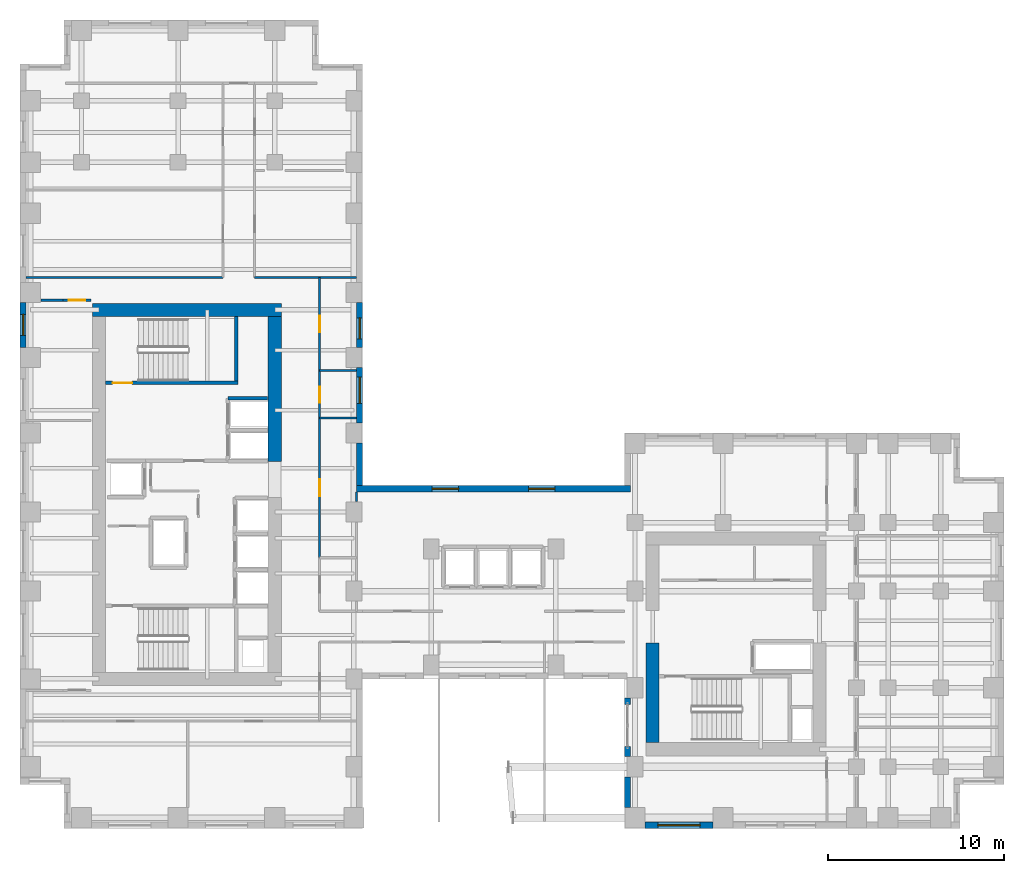
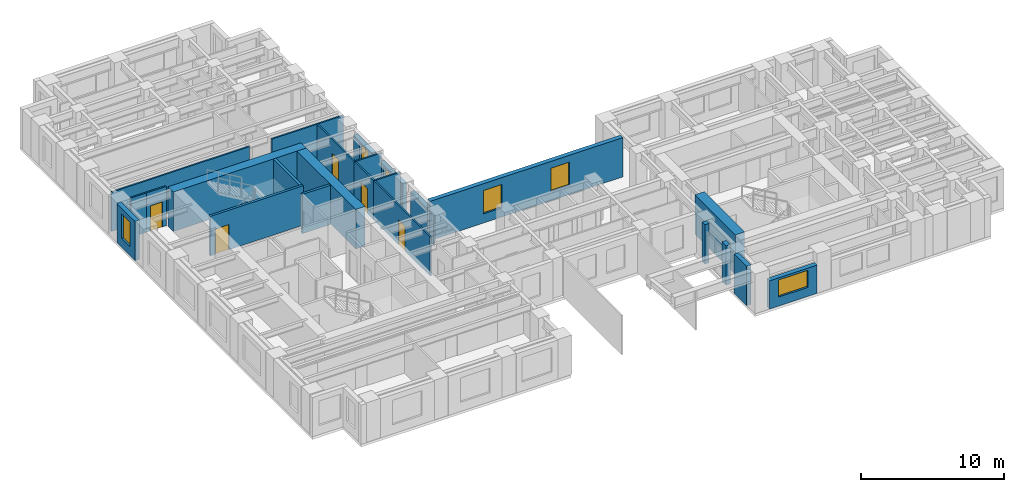
# One storey, part 9 of 14: 25 walls, 6 windows, 5 doors, 11 openings.
"""IFC4 building model written with IfcOpenShell, lengths in metres."""

from ifc_helpers import new_model, si_unit, direction, frame, frame_2d, origin, place, context, subcontext, project, spatial, rectangle, extrude, source, transform, mapped, material, layer, layer_set, type_object, element, fill, save


model = new_model("IFC4")

# Units and contexts
model_context = context("Model", 3, precision=1e-05, world=origin(), true_north=direction((0.0, 1.0)))
body_context = subcontext(model_context, "Body", "Model", "MODEL_VIEW")
ifc_project = project(units=[si_unit("LENGTHUNIT", "METRE"), si_unit("AREAUNIT", "SQUARE_METRE"), si_unit("VOLUMEUNIT", "CUBIC_METRE"), si_unit("PLANEANGLEUNIT", "RADIAN"), si_unit("MASSUNIT", "GRAM", prefix="KILO")], contexts=[model_context])

# Site, building, storey
site_placement = place(None, origin())
site = spatial("IfcSite", under=ifc_project, at=site_placement, CompositionType="ELEMENT")
building_placement = place(site_placement, origin())
building = spatial("IfcBuilding", under=site, at=building_placement, Name="Kharzan Plaza Tower", CompositionType="ELEMENT")
storey_placement = place(building_placement, frame((0.0, 0.0, 88.199951171875)))
storey = spatial("IfcBuildingStorey", under=building, at=storey_placement, Name="L23", CompositionType="ELEMENT", Elevation=88.199951171875)

# Wall, opening, window
ifc_material_1 = material(Name="Concrete C40/50", Category="concrete")
ifc_layer_1 = layer(ifc_material_1, 0.35009765625)
ifc_layer_set_1 = layer_set([ifc_layer_1], Name="Concrete C40/50")
wall_type_1 = type_object("IfcWallType", Name="WL-EXT-MAS-Z2", PredefinedType="SOLIDWALL", material=ifc_layer_set_1)
wall_1_placement = place(storey_placement, frame((19.324951171875, 23.072998046875, 0.0), z_axis=(0.0, 0.0, 1.0), x_axis=(0.0, 1.0, 0.0)))
wall_1 = element("IfcWall", 1, at=wall_1_placement, inside=storey, type_object=wall_type_1, Name="L23 Masonry-Frame Exterior Wall 02", PredefinedType="SOLIDWALL", context=body_context, shape_type="SweptSolid", body=[
    extrude(rectangle(XDim=3.154052734375, YDim=0.35009765625, at=frame_2d((1.5771484375, 0.0))), origin(), (0.0, 0.0, 1.0), 2.51904296875),
])
opening_1_placement = place(wall_1_placement, frame((1.10546875, 0.0, 0.780029296875)))
opening_1 = element("IfcOpeningElement", 2, at=opening_1_placement, cuts=wall_1, Name="Opening W5", PredefinedType="OPENING", context=body_context, shape_type="SweptSolid", body=[
    extrude(rectangle(XDim=1.5, YDim=1.55908203125, at=frame_2d((0.75, 0.779541015625))), frame((0.0, 0.18505859375, 0.0), z_axis=(0.0, -1.0, 0.0), x_axis=(1.0, 0.0, 0.0)), (0.0, 0.0, 1.0), 0.3701171875),
])
ifc_material_2 = material(Name="Low-E Double Glazing", Category="glass")
window_type_1 = type_object("IfcWindowType", Name="WN-SLT-1500x2000", PartitioningType="SINGLE_PANEL", PredefinedType="WINDOW", material=ifc_material_2)
shared_shape_1 = source(origin(), body_context, "Body", "SweptSolid", [
    extrude(rectangle(XDim=1.5, YDim=1.55908203125, at=frame_2d((0.75, 0.779541015625))), frame((0.0, 0.030029296875, 0.0), z_axis=(0.0, -1.0, 0.0), x_axis=(1.0, 0.0, 0.0)), (0.0, 0.0, 1.0), 0.06005859375),
])
window_1_placement = place(opening_1_placement, origin())
window_1 = element("IfcWindow", 3, at=window_1_placement, inside=storey, type_object=window_type_1, Name="L23 Recessed Solar-Control Window 02-1", OverallHeight=1.55908203125, OverallWidth=1.5, PartitioningType="SINGLE_PANEL", PredefinedType="WINDOW", context=body_context, shape_type="MappedRepresentation", body=[
    mapped(shared_shape_1, transform((0.0, 0.0, 0.0), x_axis=(1.0, 0.0, 0.0), y_axis=(0.0, 1.0, 0.0), z_axis=(0.0, 0.0, 1.0))),
])
fill(opening_1, window_1)

wall_2_placement = place(storey_placement, frame((19.324951171875, 27.373046875, 0.0), z_axis=(0.0, 0.0, 1.0), x_axis=(0.0, 1.0, 0.0)))
wall_2 = element("IfcWall", 4, at=wall_2_placement, inside=storey, type_object=wall_type_1, Name="L23 Masonry-Frame Exterior Wall 03", PredefinedType="SOLIDWALL", context=body_context, shape_type="SweptSolid", body=[
    extrude(rectangle(XDim=2.553955078125, YDim=0.35009765625, at=frame_2d((1.27685546875, 0.0))), origin(), (0.0, 0.0, 1.0), 2.51904296875),
])
opening_2_placement = place(wall_2_placement, frame((0.47998046875, 0.0, 0.780029296875)))
opening_2 = element("IfcOpeningElement", 5, at=opening_2_placement, cuts=wall_2, Name="Opening W3", PredefinedType="OPENING", context=body_context, shape_type="SweptSolid", body=[
    extrude(rectangle(XDim=1.199951171875, YDim=1.55908203125, at=frame_2d((0.60009765625, 0.779541015625))), frame((0.0, 0.18505859375, 0.0), z_axis=(0.0, -1.0, 0.0), x_axis=(1.0, 0.0, 0.0)), (0.0, 0.0, 1.0), 0.3701171875),
])
window_type_2 = type_object("IfcWindowType", Name="WN-REC-1200x2100", PartitioningType="SINGLE_PANEL", PredefinedType="WINDOW", material=ifc_material_2)
shared_shape_2 = source(origin(), body_context, "Body", "SweptSolid", [
    extrude(rectangle(XDim=1.199951171875, YDim=1.55908203125, at=frame_2d((0.60009765625, 0.779541015625))), frame((0.0, 0.030029296875, 0.0), z_axis=(0.0, -1.0, 0.0), x_axis=(1.0, 0.0, 0.0)), (0.0, 0.0, 1.0), 0.06005859375),
])
window_2_placement = place(opening_2_placement, origin())
window_2 = element("IfcWindow", 6, at=window_2_placement, inside=storey, type_object=window_type_2, Name="L23 Recessed Solar-Control Window 03-1", OverallHeight=1.55908203125, OverallWidth=1.199951171875, PartitioningType="SINGLE_PANEL", PredefinedType="WINDOW", context=body_context, shape_type="MappedRepresentation", body=[
    mapped(shared_shape_2, transform((0.0, 0.0, 0.0), x_axis=(1.0, 0.0, 0.0), y_axis=(0.0, 1.0, 0.0), z_axis=(0.0, 0.0, 1.0))),
])
fill(opening_2, window_2)

wall_3_placement = place(storey_placement, frame((0.175048828125, 29.927001953125, 0.0), z_axis=(0.0, 0.0, 1.0), x_axis=(0.0, -1.0, 0.0)))
wall_3 = element("IfcWall", 7, at=wall_3_placement, inside=storey, type_object=wall_type_1, Name="L23 Masonry-Frame Exterior Wall 20", PredefinedType="SOLIDWALL", context=body_context, shape_type="SweptSolid", body=[
    extrude(rectangle(XDim=2.553955078125, YDim=0.35009765625, at=frame_2d((1.27685546875, 0.0))), origin(), (0.0, 0.0, 1.0), 3.364990234375),
])
opening_3_placement = place(wall_3_placement, frame((0.677001953125, 0.0, 0.780029296875)))
opening_3 = element("IfcOpeningElement", 8, at=opening_3_placement, cuts=wall_3, Name="Opening W3", PredefinedType="OPENING", context=body_context, shape_type="SweptSolid", body=[
    extrude(rectangle(XDim=1.199951171875, YDim=2.10009765625, at=frame_2d((0.60009765625, 1.050048828125))), frame((0.0, 0.18505859375, 0.0), z_axis=(0.0, -1.0, 0.0), x_axis=(1.0, 0.0, 0.0)), (0.0, 0.0, 1.0), 0.3701171875),
])
shared_shape_3 = source(origin(), body_context, "Body", "SweptSolid", [
    extrude(rectangle(XDim=1.199951171875, YDim=2.10009765625, at=frame_2d((0.60009765625, 1.050048828125))), frame((0.0, 0.030029296875, 0.0), z_axis=(0.0, -1.0, 0.0), x_axis=(1.0, 0.0, 0.0)), (0.0, 0.0, 1.0), 0.06005859375),
])
window_3_placement = place(opening_3_placement, origin())
window_3 = element("IfcWindow", 9, at=window_3_placement, inside=storey, type_object=window_type_2, Name="L23 Recessed Solar-Control Window 20-1", OverallHeight=2.10009765625, OverallWidth=1.199951171875, PartitioningType="SINGLE_PANEL", PredefinedType="WINDOW", context=body_context, shape_type="MappedRepresentation", body=[
    mapped(shared_shape_3, transform((0.0, 0.0, 0.0), x_axis=(1.0, 0.0, 0.0), y_axis=(0.0, 1.0, 0.0), z_axis=(0.0, 0.0, 1.0))),
])
fill(opening_3, window_3)

wall_4_placement = place(storey_placement, frame((35.572998046875, 0.175048828125, 0.0), z_axis=(0.0, 0.0, 1.0), x_axis=(1.0, 0.0, 0.0)))
wall_4 = element("IfcWall", 10, at=wall_4_placement, inside=storey, type_object=wall_type_1, Name="L23 Masonry-Frame Exterior Wall 40", PredefinedType="SOLIDWALL", context=body_context, shape_type="SweptSolid", body=[
    extrude(rectangle(XDim=3.85400390625, YDim=0.35009765625, at=frame_2d((1.927001953125, 0.0))), origin(), (0.0, 0.0, 1.0), 2.427978515625),
])
opening_4_placement = place(wall_4_placement, frame((0.72705078125, 0.0, 0.780029296875)))
opening_4 = element("IfcOpeningElement", 11, at=opening_4_placement, cuts=wall_4, Name="Opening W2", PredefinedType="OPENING", context=body_context, shape_type="SweptSolid", body=[
    extrude(rectangle(XDim=2.39990234375, YDim=1.468017578125, at=frame_2d((1.199951171875, 0.73388671875))), frame((0.0, 0.18505859375, 0.0), z_axis=(0.0, -1.0, 0.0), x_axis=(1.0, 0.0, 0.0)), (0.0, 0.0, 1.0), 0.3701171875),
])
window_type_3 = type_object("IfcWindowType", Name="WN-REC-2400x2100", PartitioningType="SINGLE_PANEL", PredefinedType="WINDOW", material=ifc_material_2)
shared_shape_4 = source(origin(), body_context, "Body", "SweptSolid", [
    extrude(rectangle(XDim=2.39990234375, YDim=1.468017578125, at=frame_2d((1.199951171875, 0.73388671875))), frame((0.0, 0.030029296875, 0.0), z_axis=(0.0, -1.0, 0.0), x_axis=(1.0, 0.0, 0.0)), (0.0, 0.0, 1.0), 0.06005859375),
])
window_4_placement = place(opening_4_placement, origin())
window_4 = element("IfcWindow", 12, at=window_4_placement, inside=storey, type_object=window_type_3, Name="L23 Wide Recessed Solar-Control Window 40-1", OverallHeight=1.468017578125, OverallWidth=2.39990234375, PartitioningType="SINGLE_PANEL", PredefinedType="WINDOW", context=body_context, shape_type="MappedRepresentation", body=[
    mapped(shared_shape_4, transform((0.0, 0.0, 0.0), x_axis=(1.0, 0.0, 0.0), y_axis=(0.0, 1.0, 0.0), z_axis=(0.0, 0.0, 1.0))),
])
fill(opening_4, window_4)

# Wall, openings, windows
wall_5_placement = place(storey_placement, frame((34.75, 19.324951171875, 0.0), z_axis=(0.0, 0.0, 1.0), x_axis=(-1.0, 0.0, 0.0)))
wall_5 = element("IfcWall", 13, at=wall_5_placement, inside=storey, type_object=wall_type_1, Name="L23 Masonry-Frame Exterior Wall 59", PredefinedType="SOLIDWALL", context=body_context, shape_type="SweptSolid", body=[
    extrude(rectangle(XDim=15.60009765625, YDim=0.35009765625, at=frame_2d((7.800048828125, 0.0))), origin(), (0.0, 0.0, 1.0), 3.364990234375),
])
opening_5_placement = place(wall_5_placement, frame((4.306640625, 0.0, 0.780029296875)))
opening_5 = element("IfcOpeningElement", 14, at=opening_5_placement, cuts=wall_5, Name="Opening W5", PredefinedType="OPENING", context=body_context, shape_type="SweptSolid", body=[
    extrude(rectangle(XDim=1.5, YDim=2.0, at=frame_2d((0.75, 1.0))), frame((0.0, 0.18505859375, 0.0), z_axis=(0.0, -1.0, 0.0), x_axis=(1.0, 0.0, 0.0)), (0.0, 0.0, 1.0), 0.3701171875),
])
opening_6_placement = place(wall_5_placement, frame((9.793212890625, 0.0, 0.780029296875)))
opening_6 = element("IfcOpeningElement", 15, at=opening_6_placement, cuts=wall_5, Name="Opening W5", PredefinedType="OPENING", context=body_context, shape_type="SweptSolid", body=[
    extrude(rectangle(XDim=1.5, YDim=2.0, at=frame_2d((0.75, 1.0))), frame((0.0, 0.18505859375, 0.0), z_axis=(0.0, -1.0, 0.0), x_axis=(1.0, 0.0, 0.0)), (0.0, 0.0, 1.0), 0.3701171875),
])
shared_shape_5 = source(origin(), body_context, "Body", "SweptSolid", [
    extrude(rectangle(XDim=1.5, YDim=2.0, at=frame_2d((0.75, 1.0))), frame((0.0, 0.030029296875, 0.0), z_axis=(0.0, -1.0, 0.0), x_axis=(1.0, 0.0, 0.0)), (0.0, 0.0, 1.0), 0.06005859375),
])
window_5_placement = place(opening_5_placement, origin())
window_5 = element("IfcWindow", 16, at=window_5_placement, inside=storey, type_object=window_type_1, Name="L23 Recessed Solar-Control Window 59-1", OverallHeight=2.0, OverallWidth=1.5, PartitioningType="SINGLE_PANEL", PredefinedType="WINDOW", context=body_context, shape_type="MappedRepresentation", body=[
    mapped(shared_shape_5, transform((0.0, 0.0, 0.0), x_axis=(1.0, 0.0, 0.0), y_axis=(0.0, 1.0, 0.0), z_axis=(0.0, 0.0, 1.0))),
])
fill(opening_5, window_5)
window_6_placement = place(opening_6_placement, origin())
window_6 = element("IfcWindow", 17, at=window_6_placement, inside=storey, type_object=window_type_1, Name="L23 Recessed Solar-Control Window 59-2", OverallHeight=2.0, OverallWidth=1.5, PartitioningType="SINGLE_PANEL", PredefinedType="WINDOW", context=body_context, shape_type="MappedRepresentation", body=[
    mapped(shared_shape_5, transform((0.0, 0.0, 0.0), x_axis=(1.0, 0.0, 0.0), y_axis=(0.0, 1.0, 0.0), z_axis=(0.0, 0.0, 1.0))),
])
fill(opening_6, window_6)

# Wall, opening, door
ifc_material_3 = material(Name="Fire-Rated Gypsum Board Partition", Category="gypsum")
ifc_layer_2 = layer(ifc_material_3, 0.125)
ifc_layer_set_2 = layer_set([ifc_layer_2], Name="Fire-Rated Gypsum Board Partition")
wall_type_2 = type_object("IfcWallType", Name="WL-INT-PART-125", PredefinedType="PARTITIONING", material=ifc_layer_set_2)
wall_6_placement = place(storey_placement, frame((17.050048828125, 15.39990234375, 0.0), z_axis=(0.0, 0.0, 1.0), x_axis=(0.0, 1.0, 0.0)))
wall_6 = element("IfcWall", 18, at=wall_6_placement, inside=storey, type_object=wall_type_2, Name="L23 Interior Partition SH-AEWN2", PredefinedType="PARTITIONING", context=body_context, shape_type="SweptSolid", body=[
    extrude(rectangle(XDim=7.9501953125, YDim=0.125, at=frame_2d((3.97509765625, 0.0))), origin(), (0.0, 0.0, 1.0), 3.364990234375),
])
opening_7_placement = place(wall_6_placement, frame((3.5, 0.0, 0.0)))
opening_7 = element("IfcOpeningElement", 19, at=opening_7_placement, cuts=wall_6, Name="Opening OD1", PredefinedType="OPENING", context=body_context, shape_type="SweptSolid", body=[
    extrude(rectangle(XDim=0.949951171875, YDim=2.14990234375, at=frame_2d((0.47509765625, 1.074951171875))), frame((0.0, 0.072509765625, 0.0), z_axis=(0.0, -1.0, 0.0), x_axis=(1.0, 0.0, 0.0)), (0.0, 0.0, 1.0), 0.14501953125),
])
ifc_material_4 = material(Name="Acoustic Solid-Core Stained Oak", Category="timber")
door_type_1 = type_object("IfcDoorType", Name="DR-OFF-SINGLE", OperationType="NOTDEFINED", PredefinedType="DOOR", material=ifc_material_4)
shared_shape_6 = source(origin(), body_context, "Body", "SweptSolid", [
    extrude(rectangle(XDim=0.949951171875, YDim=2.14990234375, at=frame_2d((0.47509765625, 1.074951171875))), frame((0.0, 0.02490234375, 0.0), z_axis=(0.0, -1.0, 0.0), x_axis=(1.0, 0.0, 0.0)), (0.0, 0.0, 1.0), 0.050048828125),
])
door_1_placement = place(opening_7_placement, origin())
door_1 = element("IfcDoor", 20, at=door_1_placement, inside=storey, type_object=door_type_1, Name="L23 Slot Studio Door", OperationType="SINGLE_SWING_LEFT", OverallHeight=2.14990234375, OverallWidth=0.949951171875, PredefinedType="DOOR", context=body_context, shape_type="MappedRepresentation", body=[
    mapped(shared_shape_6, transform((0.0, 0.0, 0.0), x_axis=(1.0, 0.0, 0.0), y_axis=(0.0, 1.0, 0.0), z_axis=(0.0, 0.0, 1.0))),
])
fill(opening_7, door_1)

wall_7_placement = place(storey_placement, frame((17.050048828125, 26.050048828125, 0.0), z_axis=(0.0, 0.0, 1.0), x_axis=(0.0, 1.0, 0.0)))
wall_7 = element("IfcWall", 21, at=wall_7_placement, inside=storey, type_object=wall_type_2, Name="L23 Interior Partition SH-AEWN3", PredefinedType="PARTITIONING", context=body_context, shape_type="SweptSolid", body=[
    extrude(rectangle(XDim=5.300048828125, YDim=0.125, at=frame_2d((2.64990234375, 0.0))), origin(), (0.0, 0.0, 1.0), 3.364990234375),
])
opening_8_placement = place(wall_7_placement, frame((2.175048828125, 0.0, 0.0)))
opening_8 = element("IfcOpeningElement", 22, at=opening_8_placement, cuts=wall_7, Name="Opening OD1", PredefinedType="OPENING", context=body_context, shape_type="SweptSolid", body=[
    extrude(rectangle(XDim=0.949951171875, YDim=2.14990234375, at=frame_2d((0.47509765625, 1.074951171875))), frame((0.0, 0.072509765625, 0.0), z_axis=(0.0, -1.0, 0.0), x_axis=(1.0, 0.0, 0.0)), (0.0, 0.0, 1.0), 0.14501953125),
])
door_2_placement = place(opening_8_placement, origin())
door_2 = element("IfcDoor", 23, at=door_2_placement, inside=storey, type_object=door_type_1, Name="L23 Staff Tea Point Door", OperationType="SINGLE_SWING_LEFT", OverallHeight=2.14990234375, OverallWidth=0.949951171875, PredefinedType="DOOR", context=body_context, shape_type="MappedRepresentation", body=[
    mapped(shared_shape_6, transform((0.0, 0.0, 0.0), x_axis=(1.0, 0.0, 0.0), y_axis=(0.0, 1.0, 0.0), z_axis=(0.0, 0.0, 1.0))),
])
fill(opening_8, door_2)

wall_8_placement = place(storey_placement, frame((17.050048828125, 23.35009765625, 0.0), z_axis=(0.0, 0.0, 1.0), x_axis=(0.0, 1.0, 0.0)))
wall_8 = element("IfcWall", 24, at=wall_8_placement, inside=storey, type_object=wall_type_2, Name="L23 Interior Partition SH-AEWW", PredefinedType="PARTITIONING", context=body_context, shape_type="SweptSolid", body=[
    extrude(rectangle(XDim=2.699951171875, YDim=0.125, at=frame_2d((1.35009765625, 0.0))), origin(), (0.0, 0.0, 1.0), 3.364990234375),
])
opening_9_placement = place(wall_8_placement, frame((0.875, 0.0, 0.0)))
opening_9 = element("IfcOpeningElement", 25, at=opening_9_placement, cuts=wall_8, Name="Opening WD1", PredefinedType="OPENING", context=body_context, shape_type="SweptSolid", body=[
    extrude(rectangle(XDim=0.89990234375, YDim=2.14990234375, at=frame_2d((0.449951171875, 1.074951171875))), frame((0.0, 0.072509765625, 0.0), z_axis=(0.0, -1.0, 0.0), x_axis=(1.0, 0.0, 0.0)), (0.0, 0.0, 1.0), 0.14501953125),
])
ifc_material_5 = material(Name="Moisture-Resistant Fire-Rated Laminate", Category="timber")
door_type_2 = type_object("IfcDoorType", Name="DR-WC-900", OperationType="NOTDEFINED", PredefinedType="DOOR", material=ifc_material_5)
shared_shape_7 = source(origin(), body_context, "Body", "SweptSolid", [
    extrude(rectangle(XDim=0.89990234375, YDim=2.14990234375, at=frame_2d((0.449951171875, 1.074951171875))), frame((0.0, 0.02490234375, 0.0), z_axis=(0.0, -1.0, 0.0), x_axis=(1.0, 0.0, 0.0)), (0.0, 0.0, 1.0), 0.050048828125),
])
door_3_placement = place(opening_9_placement, origin())
door_3 = element("IfcDoor", 26, at=door_3_placement, inside=storey, type_object=door_type_2, Name="L23 Wing A Washroom Door", OperationType="SINGLE_SWING_RIGHT", OverallHeight=2.14990234375, OverallWidth=0.89990234375, PredefinedType="DOOR", context=body_context, shape_type="MappedRepresentation", body=[
    mapped(shared_shape_7, transform((0.0, 0.0, 0.0), x_axis=(1.0, 0.0, 0.0), y_axis=(0.0, 1.0, 0.0), z_axis=(0.0, 0.0, 1.0))),
])
fill(opening_9, door_3)

wall_9_placement = place(storey_placement, frame((2.449951171875, 30.050048828125, 0.0), z_axis=(0.0, 0.0, 1.0), x_axis=(1.0, 0.0, 0.0)))
wall_9 = element("IfcWall", 27, at=wall_9_placement, inside=storey, type_object=wall_type_2, Name="L23 Interior Partition SH-RWND", PredefinedType="PARTITIONING", context=body_context, shape_type="SweptSolid", body=[
    extrude(rectangle(XDim=1.60009765625, YDim=0.125, at=frame_2d((0.800048828125, 0.0))), origin(), (0.0, 0.0, 1.0), 3.364990234375),
])
opening_10_placement = place(wall_9_placement, frame((0.324951171875, 0.0, 0.0)))
opening_10 = element("IfcOpeningElement", 28, at=opening_10_placement, cuts=wall_9, Name="Opening OD1", PredefinedType="OPENING", context=body_context, shape_type="SweptSolid", body=[
    extrude(rectangle(XDim=0.949951171875, YDim=2.14990234375, at=frame_2d((0.47509765625, 1.074951171875))), frame((0.0, 0.072509765625, 0.0), z_axis=(0.0, -1.0, 0.0), x_axis=(1.0, 0.0, 0.0)), (0.0, 0.0, 1.0), 0.14501953125),
])
door_4_placement = place(opening_10_placement, origin())
door_4 = element("IfcDoor", 29, at=door_4_placement, inside=storey, type_object=door_type_1, Name="L23 West Office 2 Door", OperationType="SINGLE_SWING_LEFT", OverallHeight=2.14990234375, OverallWidth=0.949951171875, PredefinedType="DOOR", context=body_context, shape_type="MappedRepresentation", body=[
    mapped(shared_shape_6, transform((0.0, 0.0, 0.0), x_axis=(1.0, 0.0, 0.0), y_axis=(0.0, 1.0, 0.0), z_axis=(0.0, 0.0, 1.0))),
])
fill(opening_10, door_4)

ifc_material_6 = material(Name="Concrete C50/60", Category="concrete")
ifc_layer_3 = layer(ifc_material_6, 0.199951171875)
ifc_layer_set_3 = layer_set([ifc_layer_3], Name="Concrete C50/60")
wall_type_3 = type_object("IfcWallType", Name="WL-SHAFT-RC200", PredefinedType="SHEAR", material=ifc_layer_set_3)
wall_10_placement = place(storey_placement, frame((4.876953125, 25.344970703125, 0.0), z_axis=(0.0, 0.0, 1.0), x_axis=(1.0, 0.0, 0.0)))
wall_10 = element("IfcWall", 30, at=wall_10_placement, inside=storey, type_object=wall_type_3, Name="L23 Stair ST-2 South RC Shaft Wall", PredefinedType="SHEAR", context=body_context, shape_type="SweptSolid", body=[
    extrude(rectangle(XDim=7.528076171875, YDim=0.199951171875, at=frame_2d((3.76416015625, 0.0))), origin(), (0.0, 0.0, 1.0), 3.380126953125),
])
opening_11_placement = place(wall_10_placement, frame((0.39990234375, 0.0, 0.0)))
opening_11 = element("IfcOpeningElement", 31, at=opening_11_placement, cuts=wall_10, Name="Opening SD1", PredefinedType="OPENING", context=body_context, shape_type="SweptSolid", body=[
    extrude(rectangle(XDim=1.10009765625, YDim=2.14990234375, at=frame_2d((0.550048828125, 1.074951171875))), frame((0.0, 0.10986328125, 0.0), z_axis=(0.0, -1.0, 0.0), x_axis=(1.0, 0.0, 0.0)), (0.0, 0.0, 1.0), 0.219970703125),
])
ifc_material_7 = material(Name="Fire-Rated Hollow Galvanized Steel", Category="steel")
door_type_3 = type_object("IfcDoorType", Name="DR-STAIR-FD120", OperationType="NOTDEFINED", PredefinedType="DOOR", material=ifc_material_7)
shared_shape_8 = source(origin(), body_context, "Body", "SweptSolid", [
    extrude(rectangle(XDim=1.10009765625, YDim=2.14990234375, at=frame_2d((0.550048828125, 1.074951171875))), frame((0.0, 0.02490234375, 0.0), z_axis=(0.0, -1.0, 0.0), x_axis=(1.0, 0.0, 0.0)), (0.0, 0.0, 1.0), 0.050048828125),
])
door_5_placement = place(opening_11_placement, origin())
door_5 = element("IfcDoor", 32, at=door_5_placement, inside=storey, type_object=door_type_3, Name="L23 Stair ST-2 Fire Exit Door", OperationType="SINGLE_SWING_RIGHT", OverallHeight=2.14990234375, OverallWidth=1.10009765625, PredefinedType="DOOR", context=body_context, shape_type="MappedRepresentation", body=[
    mapped(shared_shape_8, transform((0.0, 0.0, 0.0), x_axis=(1.0, 0.0, 0.0), y_axis=(0.0, 1.0, 0.0), z_axis=(0.0, 0.0, 1.0))),
])
fill(opening_11, door_5)

# Walls
shared_shape_9 = source(origin(), body_context, "Body", "SweptSolid", [
    extrude(rectangle(XDim=2.097900390625, YDim=0.125, at=frame_2d((1.048828125, 0.0))), origin(), (0.0, 0.0, 1.0), 3.364990234375),
])
for number, where, z_axis, x_axis, name in (
    (33, (17.050048828125, 23.35009765625, 0.0), (0.0, 0.0, 1.0), (1.0, 0.0, 0.0), "L23 Interior Partition SH-AEH-233"),
    (34, (17.050048828125, 26.050048828125, 0.0), (0.0, 0.0, 1.0), (1.0, 0.0, 0.0), "L23 Interior Partition SH-AEH-260"),
):
    element("IfcWall", number, at=place(storey_placement, frame(where, z_axis=z_axis, x_axis=x_axis)), inside=storey, type_object=wall_type_2, Name=name, PredefinedType="PARTITIONING", context=body_context, shape_type="MappedRepresentation", body=[
        mapped(shared_shape_9, transform((0.0, 0.0, 0.0), x_axis=(1.0, 0.0, 0.0), y_axis=(0.0, 1.0, 0.0), z_axis=(0.0, 0.0, 1.0))),
    ])
shared_shape_10 = source(origin(), body_context, "Body", "SweptSolid", [
    extrude(rectangle(XDim=5.7978515625, YDim=0.125, at=frame_2d((2.89892578125, 0.0))), origin(), (0.0, 0.0, 1.0), 3.364990234375),
])
wall_11_placement = place(storey_placement, frame((13.35009765625, 31.35009765625, 0.0), z_axis=(0.0, 0.0, 1.0), x_axis=(1.0, 0.0, 0.0)))
element("IfcWall", 35, at=wall_11_placement, inside=storey, type_object=wall_type_2, Name="L23 Interior Partition SH-NNE", PredefinedType="PARTITIONING", context=body_context, shape_type="MappedRepresentation", body=[
    mapped(shared_shape_10, transform((0.0, 0.0, 0.0), x_axis=(1.0, 0.0, 0.0), y_axis=(0.0, 1.0, 0.0), z_axis=(0.0, 0.0, 1.0))),
])
shared_shape_11 = source(origin(), body_context, "Body", "SweptSolid", [
    extrude(rectangle(XDim=11.197998046875, YDim=0.125, at=frame_2d((5.59912109375, 0.0))), origin(), (0.0, 0.0, 1.0), 3.364990234375),
])
wall_12_placement = place(storey_placement, frame((0.35205078125, 31.35009765625, 0.0), z_axis=(0.0, 0.0, 1.0), x_axis=(1.0, 0.0, 0.0)))
element("IfcWall", 36, at=wall_12_placement, inside=storey, type_object=wall_type_2, Name="L23 Interior Partition SH-NNW", PredefinedType="PARTITIONING", context=body_context, shape_type="MappedRepresentation", body=[
    mapped(shared_shape_11, transform((0.0, 0.0, 0.0), x_axis=(1.0, 0.0, 0.0), y_axis=(0.0, 1.0, 0.0), z_axis=(0.0, 0.0, 1.0))),
])
ifc_material_8 = material(Name="Concrete C60/75", Category="concrete")
ifc_layer_4 = layer(ifc_material_8, 0.75)
ifc_layer_set_4 = layer_set([ifc_layer_4], Name="Concrete C60/75")
wall_type_4 = type_object("IfcWallType", Name="WL-CORE-750", PredefinedType="SHEAR", material=ifc_layer_set_4)
shared_shape_12 = source(origin(), body_context, "Body", "SweptSolid", [
    extrude(rectangle(XDim=8.2451171875, YDim=0.75, at=frame_2d((4.12255859375, 0.0))), origin(), (0.0, 0.0, 1.0), 3.380126953125),
])
wall_13_placement = place(storey_placement, frame((14.5, 20.8798828125, 0.0), z_axis=(0.0, 0.0, 1.0), x_axis=(0.0, 1.0, 0.0)))
element("IfcWall", 37, at=wall_13_placement, inside=storey, type_object=wall_type_4, Name="L23 CORE-A east shear pier 2", PredefinedType="SHEAR", context=body_context, shape_type="MappedRepresentation", body=[
    mapped(shared_shape_12, transform((0.0, 0.0, 0.0), x_axis=(1.0, 0.0, 0.0), y_axis=(0.0, 1.0, 0.0), z_axis=(0.0, 0.0, 1.0))),
])
shared_shape_13 = source(origin(), body_context, "Body", "SweptSolid", [
    extrude(rectangle(XDim=10.75, YDim=0.75, at=frame_2d((5.375, 0.0))), origin(), (0.0, 0.0, 1.0), 3.380126953125),
])
wall_14_placement = place(storey_placement, frame((4.125, 29.5, 0.0), z_axis=(0.0, 0.0, 1.0), x_axis=(1.0, 0.0, 0.0)))
element("IfcWall", 38, at=wall_14_placement, inside=storey, type_object=wall_type_4, Name="L23 CORE-A north RC shear wall", PredefinedType="SHEAR", context=body_context, shape_type="MappedRepresentation", body=[
    mapped(shared_shape_13, transform((0.0, 0.0, 0.0), x_axis=(1.0, 0.0, 0.0), y_axis=(0.0, 1.0, 0.0), z_axis=(0.0, 0.0, 1.0))),
])
shared_shape_14 = source(origin(), body_context, "Body", "SweptSolid", [
    extrude(rectangle(XDim=5.675048828125, YDim=0.75, at=frame_2d((2.83740234375, 0.0))), origin(), (0.0, 0.0, 1.0), 3.380126953125),
])
wall_15_placement = place(storey_placement, frame((36.0, 4.875, 0.0), z_axis=(0.0, 0.0, 1.0), x_axis=(0.0, 1.0, 0.0)))
element("IfcWall", 39, at=wall_15_placement, inside=storey, type_object=wall_type_4, Name="L23 CORE-B west shear pier 1", PredefinedType="SHEAR", context=body_context, shape_type="MappedRepresentation", body=[
    mapped(shared_shape_14, transform((0.0, 0.0, 0.0), x_axis=(1.0, 0.0, 0.0), y_axis=(0.0, 1.0, 0.0), z_axis=(0.0, 0.0, 1.0))),
])
shared_shape_15 = source(origin(), body_context, "Body", "SweptSolid", [
    extrude(rectangle(XDim=1.75390625, YDim=0.35009765625, at=frame_2d((0.876953125, 0.0))), origin(), (0.0, 0.0, 1.0), 3.364990234375),
])
wall_16_placement = place(storey_placement, frame((34.574951171875, 2.927001953125, 0.0), z_axis=(0.0, 0.0, 1.0), x_axis=(0.0, -1.0, 0.0)))
element("IfcWall", 40, at=wall_16_placement, inside=storey, type_object=wall_type_1, Name="L23 Masonry-Frame Exterior Wall 39", PredefinedType="SOLIDWALL", context=body_context, shape_type="MappedRepresentation", body=[
    mapped(shared_shape_15, transform((0.0, 0.0, 0.0), x_axis=(1.0, 0.0, 0.0), y_axis=(0.0, 1.0, 0.0), z_axis=(0.0, 0.0, 1.0))),
])
shared_shape_16 = source(origin(), body_context, "Body", "SweptSolid", [
    extrude(rectangle(XDim=0.376953125, YDim=0.35009765625, at=frame_2d((0.1884765625, 0.0))), origin(), (0.0, 0.0, 1.0), 3.364990234375),
])
wall_17_placement = place(storey_placement, frame((34.574951171875, 7.427001953125, 0.0), z_axis=(0.0, 0.0, 1.0), x_axis=(0.0, -1.0, 0.0)))
element("IfcWall", 41, at=wall_17_placement, inside=storey, type_object=wall_type_1, Name="L23 Masonry-Frame Exterior Wall 37", PredefinedType="SOLIDWALL", context=body_context, shape_type="MappedRepresentation", body=[
    mapped(shared_shape_16, transform((0.0, 0.0, 0.0), x_axis=(1.0, 0.0, 0.0), y_axis=(0.0, 1.0, 0.0), z_axis=(0.0, 0.0, 1.0))),
])
shared_shape_17 = source(origin(), body_context, "Body", "SweptSolid", [
    extrude(rectangle(XDim=1.260009765625, YDim=0.125, at=frame_2d((0.6298828125, 0.0))), origin(), (0.0, 0.0, 1.0), 3.364990234375),
])
wall_18_placement = place(storey_placement, frame((1.18994140625, 30.050048828125, 0.0), z_axis=(0.0, 0.0, 1.0), x_axis=(1.0, 0.0, 0.0)))
element("IfcWall", 42, at=wall_18_placement, inside=storey, type_object=wall_type_2, Name="L23 Interior Partition SH-RWN0", PredefinedType="PARTITIONING", context=body_context, shape_type="MappedRepresentation", body=[
    mapped(shared_shape_17, transform((0.0, 0.0, 0.0), x_axis=(1.0, 0.0, 0.0), y_axis=(0.0, 1.0, 0.0), z_axis=(0.0, 0.0, 1.0))),
])
ifc_layer_5 = layer(ifc_material_1, 0.199951171875)
ifc_layer_set_5 = layer_set([ifc_layer_5], Name="Concrete C40/50")
wall_type_5 = type_object("IfcWallType", Name="WL-INT-SHAFT-200", PredefinedType="PARTITIONING", material=ifc_layer_set_5)
shared_shape_18 = source(origin(), body_context, "Body", "SweptSolid", [
    extrude(rectangle(XDim=2.264892578125, YDim=0.199951171875, at=frame_2d((1.13232421875, 0.0))), origin(), (0.0, 0.0, 1.0), 3.364990234375),
])
wall_19_placement = place(storey_placement, frame((11.830078125, 24.4599609375, 0.0), z_axis=(0.0, 0.0, 1.0), x_axis=(1.0, 0.0, 0.0)))
element("IfcWall", 43, at=wall_19_placement, inside=storey, type_object=wall_type_5, Name="L23 Interior Partition SHF-FFL-2-N", PredefinedType="PARTITIONING", context=body_context, shape_type="MappedRepresentation", body=[
    mapped(shared_shape_18, transform((0.0, 0.0, 0.0), x_axis=(1.0, 0.0, 0.0), y_axis=(0.0, 1.0, 0.0), z_axis=(0.0, 0.0, 1.0))),
])
shared_shape_19 = source(origin(), body_context, "Body", "SweptSolid", [
    extrude(rectangle(XDim=3.677978515625, YDim=0.199951171875, at=frame_2d((1.8388671875, 0.0))), origin(), (0.0, 0.0, 1.0), 3.380126953125),
])
wall_20_placement = place(storey_placement, frame((12.304931640625, 25.445068359375, 0.0), z_axis=(0.0, 0.0, 1.0), x_axis=(0.0, 1.0, 0.0)))
element("IfcWall", 44, at=wall_20_placement, inside=storey, type_object=wall_type_3, Name="L23 Stair ST-2 East RC Shaft Wall", PredefinedType="SHEAR", context=body_context, shape_type="MappedRepresentation", body=[
    mapped(shared_shape_19, transform((0.0, 0.0, 0.0), x_axis=(1.0, 0.0, 0.0), y_axis=(0.0, 1.0, 0.0), z_axis=(0.0, 0.0, 1.0))),
])
shared_shape_20 = source(origin(), body_context, "Body", "SweptSolid", [
    extrude(rectangle(XDim=2.428955078125, YDim=0.35009765625, at=frame_2d((1.21435546875, 0.0))), origin(), (0.0, 0.0, 1.0), 2.51904296875),
])
wall_21_placement = place(storey_placement, frame((19.324951171875, 19.498046875, 0.0), z_axis=(0.0, 0.0, 1.0), x_axis=(0.0, 1.0, 0.0)))
element("IfcWall", 45, at=wall_21_placement, inside=storey, type_object=wall_type_1, Name="L23 Masonry-Frame Exterior Wall 01", PredefinedType="SOLIDWALL", context=body_context, shape_type="MappedRepresentation", body=[
    mapped(shared_shape_20, transform((0.0, 0.0, 0.0), x_axis=(1.0, 0.0, 0.0), y_axis=(0.0, 1.0, 0.0), z_axis=(0.0, 0.0, 1.0))),
])
shared_shape_21 = source(origin(), body_context, "Body", "SweptSolid", [
    extrude(rectangle(XDim=0.576904296875, YDim=0.35009765625, at=frame_2d((0.28857421875, 0.0))), origin(), (0.0, 0.0, 1.0), 3.364990234375),
])
wall_22_placement = place(storey_placement, frame((34.574951171875, 4.64990234375, 0.0), z_axis=(0.0, 0.0, 1.0), x_axis=(0.0, -1.0, 0.0)))
element("IfcWall", 46, at=wall_22_placement, inside=storey, type_object=wall_type_1, Name="L23 Masonry-Frame Exterior Wall 38", PredefinedType="SOLIDWALL", context=body_context, shape_type="MappedRepresentation", body=[
    mapped(shared_shape_21, transform((0.0, 0.0, 0.0), x_axis=(1.0, 0.0, 0.0), y_axis=(0.0, 1.0, 0.0), z_axis=(0.0, 0.0, 1.0))),
])
shared_shape_22 = source(origin(), body_context, "Body", "SweptSolid", [
    extrude(rectangle(XDim=0.557861328125, YDim=0.125, at=frame_2d((0.27880859375, 0.0))), origin(), (0.0, 0.0, 1.0), 2.51904296875),
])
wall_23_placement = place(storey_placement, frame((19.14990234375, 18.590087890625, 0.0), z_axis=(0.0, 0.0, 1.0), x_axis=(0.0, 1.0, 0.0)))
element("IfcWall", 47, at=wall_23_placement, inside=storey, type_object=wall_type_2, Name="L23 Interior Partition SH-AEN-DIV-S3", PredefinedType="PARTITIONING", context=body_context, shape_type="MappedRepresentation", body=[
    mapped(shared_shape_22, transform((0.0, 0.0, 0.0), x_axis=(1.0, 0.0, 0.0), y_axis=(0.0, 1.0, 0.0), z_axis=(0.0, 0.0, 1.0))),
])

save(model, "model.ifc")
